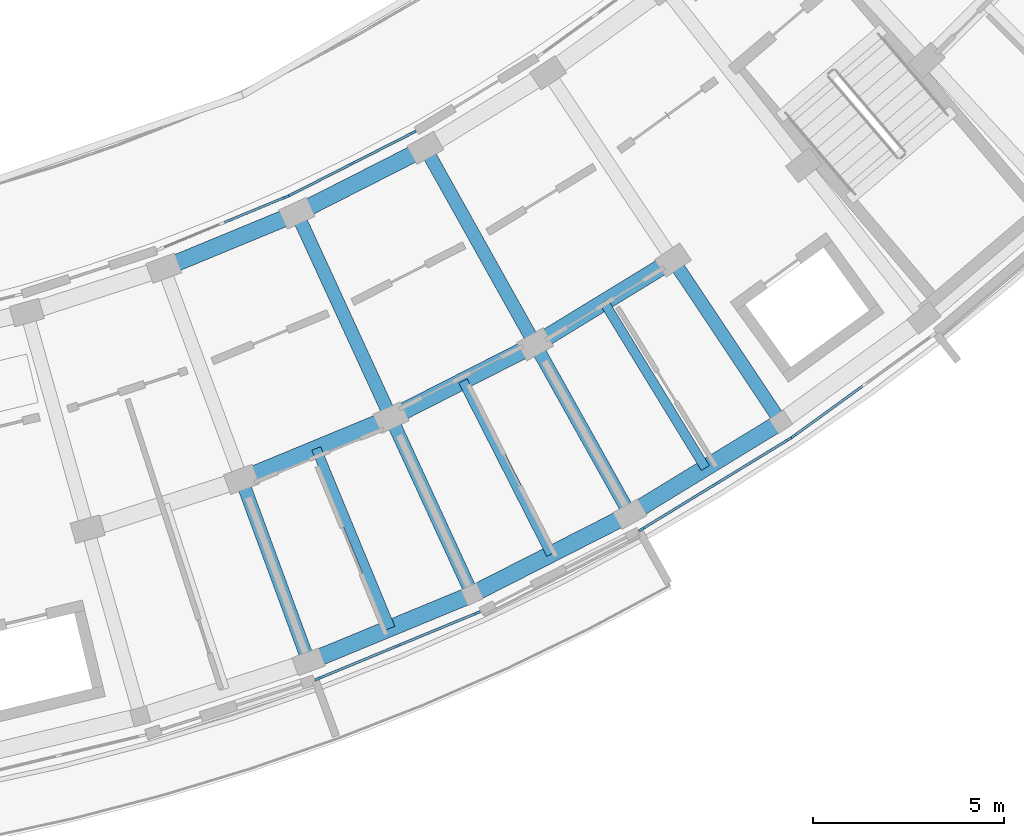
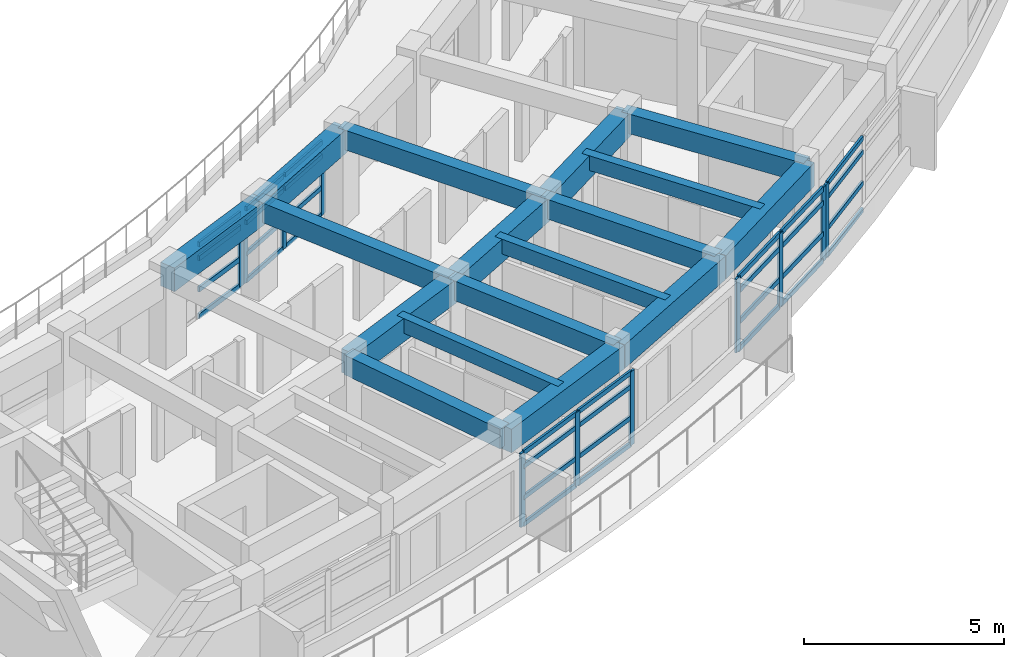
# One storey, part 18 of 54: 43 members, 17 beams, 5 elements without a shape of their own.
"""IFC4 building model written with IfcOpenShell, lengths in metres."""

from ifc_helpers import new_model, si_unit, direction, frame, origin, origin_2d, place, context, subcontext, project, spatial, rectangle, extrude, material, material_profile, profile_set, type_object, element, aggregate, save


model = new_model("IFC4")

# Units and contexts
model_context = context("Model", 3, precision=1e-05, world=origin(), true_north=direction((0.0, 1.0)))
body_context = subcontext(model_context, "Body", "Model", "MODEL_VIEW")
ifc_project = project(units=[si_unit("LENGTHUNIT", "METRE"), si_unit("AREAUNIT", "SQUARE_METRE"), si_unit("VOLUMEUNIT", "CUBIC_METRE"), si_unit("PLANEANGLEUNIT", "RADIAN"), si_unit("MASSUNIT", "GRAM", prefix="KILO")], contexts=[model_context])

# Site, building, storey
site_placement = place(None, origin())
site = spatial("IfcSite", under=ifc_project, at=site_placement, CompositionType="ELEMENT")
building_placement = place(site_placement, origin())
building = spatial("IfcBuilding", under=site, at=building_placement, Name="Zimvara Arc Housing Community", CompositionType="ELEMENT")
storey_placement = place(building_placement, frame((0.0, 0.0, 20.5)))
storey = spatial("IfcBuildingStorey", under=building, at=storey_placement, Name="L06", CompositionType="ELEMENT", Elevation=20.5)

# Beams
ifc_material_1 = material(Name="Concrete C40/50", Category="concrete")
ifc_material_profile_1 = material_profile(ifc_material_1, rectangle(XDim=0.25, YDim=0.449951171875, at=origin_2d()), Name="RC 250x450")
ifc_profile_set_1 = profile_set([ifc_material_profile_1], Name="Concrete C40/50")
beam_type_1 = type_object("IfcBeamType", Name="BM-RC-250x450", PredefinedType="JOIST", material=ifc_profile_set_1)
beam_1_placement = place(storey_placement, frame((146.509033203125, 60.17578125, 2.635009765625), z_axis=(0.381881623909, -0.924211244966, 0.0), x_axis=(0.924211244966, 0.381881623909, 0.0)))
element("IfcBeam", 1, at=beam_1_placement, inside=storey, type_object=beam_type_1, Name="bm:blkD:L06:joist:b4", PredefinedType="JOIST", context=body_context, shape_type="SweptSolid", body=[
    extrude(rectangle(XDim=0.25, YDim=0.449951171875, at=origin_2d()), origin(), (0.0, 0.0, 1.0), 5.076171875),
])
for number, where, z_axis, x_axis, name in (
    (2, (150.343994140625, 61.939453125, 2.635009765625), (0.453225300679, -0.891395998883, 0.0), (0.891395998883, 0.453225300679, 0.0), "bm:blkD:L06:joist:b5"),
    (3, (154.02880859375, 63.998779296875, 2.635009765625), (0.521755418526, -0.85309511969, 0.0), (0.85309511969, 0.521755418526, 0.0), "bm:blkD:L06:joist:b6"),
):
    element("IfcBeam", number, at=place(storey_placement, frame(where, z_axis=z_axis, x_axis=x_axis)), inside=storey, type_object=beam_type_1, Name=name, PredefinedType="JOIST", context=body_context, shape_type="SweptSolid", body=[
        extrude(rectangle(XDim=0.25, YDim=0.449951171875, at=origin_2d()), origin(), (0.0, 0.0, 1.0), 5.075927734375),
    ])
ifc_material_2 = material(Name="Concrete C40/50", Category="concrete")
ifc_material_profile_2 = material_profile(ifc_material_2, rectangle(XDim=0.35009765625, YDim=0.60009765625, at=origin_2d()), Name="RC 350x600")
ifc_profile_set_2 = profile_set([ifc_material_profile_2], Name="Concrete C40/50")
beam_type_2 = type_object("IfcBeamType", Name="BM-RC-350x600", PredefinedType="BEAM", material=ifc_profile_set_2)
beam_2_placement = place(storey_placement, frame((144.55712890625, 59.369140625, 2.56005859375), z_axis=(0.345302219392, -0.938491543533, 0.0), x_axis=(0.938491543533, 0.345302219392, 0.0)))
element("IfcBeam", 4, at=beam_2_placement, inside=storey, type_object=beam_type_2, Name="bm:blkD:L06:rad:b4:r23", PredefinedType="BEAM", context=body_context, shape_type="SweptSolid", body=[
    extrude(rectangle(XDim=0.35009765625, YDim=0.60009765625, at=origin_2d()), origin(), (0.0, 0.0, 1.0), 5.080078125),
])
beam_3_placement = place(storey_placement, frame((146.004150390625, 66.32421875, 2.56005859375), z_axis=(0.417862428621, -0.908510314056, 0.0), x_axis=(0.908510314056, 0.417862428621, 0.0)))
element("IfcBeam", 5, at=beam_3_placement, inside=storey, type_object=beam_type_2, Name="bm:blkD:L06:rad:b5:r12", PredefinedType="BEAM", context=body_context, shape_type="SweptSolid", body=[
    extrude(rectangle(XDim=0.35009765625, YDim=0.60009765625, at=origin_2d()), origin(), (0.0, 0.0, 1.0), 5.8798828125),
])
beam_4_placement = place(storey_placement, frame((148.461181640625, 60.982177734375, 2.56005859375), z_axis=(0.417872288794, -0.90850577888, 0.0), x_axis=(0.90850577888, 0.417872288794, 0.0)))
element("IfcBeam", 6, at=beam_4_placement, inside=storey, type_object=beam_type_2, Name="bm:blkD:L06:rad:b5:r23", PredefinedType="BEAM", context=body_context, shape_type="SweptSolid", body=[
    extrude(rectangle(XDim=0.35009765625, YDim=0.60009765625, at=origin_2d()), origin(), (0.0, 0.0, 1.0), 5.080078125),
])
beam_5_placement = place(storey_placement, frame((149.358154296875, 68.029541015625, 2.56005859375), z_axis=(0.487862302556, -0.872920599909, 0.0), x_axis=(0.872920599909, 0.487862302556, 0.0)))
element("IfcBeam", 7, at=beam_5_placement, inside=storey, type_object=beam_type_2, Name="bm:blkD:L06:rad:b6:r12", PredefinedType="BEAM", context=body_context, shape_type="SweptSolid", body=[
    extrude(rectangle(XDim=0.35009765625, YDim=0.60009765625, at=origin_2d()), origin(), (0.0, 0.0, 1.0), 5.880126953125),
])
beam_6_placement = place(storey_placement, frame((152.226806640625, 62.896728515625, 2.56005859375), z_axis=(0.48786121213, -0.872921209331, 0.0), x_axis=(0.872921209331, 0.48786121213, 0.0)))
element("IfcBeam", 8, at=beam_6_placement, inside=storey, type_object=beam_type_2, Name="bm:blkD:L06:rad:b6:r23", PredefinedType="BEAM", context=body_context, shape_type="SweptSolid", body=[
    extrude(rectangle(XDim=0.35009765625, YDim=0.60009765625, at=origin_2d()), origin(), (0.0, 0.0, 1.0), 5.079833984375),
])
beam_7_placement = place(storey_placement, frame((155.83056640625, 65.100830078125, 2.56005859375), z_axis=(0.554844365732, -0.83195416329, 0.0), x_axis=(0.83195416329, 0.554844365732, 0.0)))
element("IfcBeam", 9, at=beam_7_placement, inside=storey, type_object=beam_type_2, Name="bm:blkD:L06:rad:b7:r23", PredefinedType="BEAM", context=body_context, shape_type="SweptSolid", body=[
    extrude(rectangle(XDim=0.35009765625, YDim=0.60009765625, at=origin_2d()), origin(), (0.0, 0.0, 1.0), 5.080078125),
])
ifc_material_3 = material(Name="Concrete C40/50", Category="concrete")
ifc_material_profile_3 = material_profile(ifc_material_3, rectangle(XDim=0.43994140625, YDim=0.719970703125, at=origin_2d()), Name="RC 440x720")
ifc_profile_set_3 = profile_set([ifc_material_profile_3], Name="Concrete C40/50")
beam_type_3 = type_object("IfcBeamType", Name="BM-RC-440x720", PredefinedType="BEAM", material=ifc_profile_set_3)
for number, where, z_axis, x_axis, name in (
    (10, (142.526611328125, 64.887451171875, 2.5), (0.924224591922, 0.381849320658, 0.0), (-0.381849320658, 0.924224591922, 0.0), "bm:blkD:L06:chord:r1:b4"),
    (11, (146.004150390625, 66.32421875, 2.5), (0.891396237924, 0.453224830536, 0.0), (-0.453224830536, 0.891396237924, 0.0), "bm:blkD:L06:chord:r1:b5"),
):
    element("IfcBeam", number, at=place(storey_placement, frame(where, z_axis=z_axis, x_axis=x_axis)), inside=storey, type_object=beam_type_3, Name=name, PredefinedType="BEAM", context=body_context, shape_type="SweptSolid", body=[
        extrude(rectangle(XDim=0.43994140625, YDim=0.719970703125, at=origin_2d()), origin(), (0.0, 0.0, 1.0), 3.7626953125),
    ])
beam_8_placement = place(storey_placement, frame((144.55712890625, 59.369140625, 2.5), z_axis=(0.924220191381, 0.381859971512, 0.0), x_axis=(-0.381859971512, 0.924220191381, 0.0)))
element("IfcBeam", 12, at=beam_8_placement, inside=storey, type_object=beam_type_3, Name="bm:blkD:L06:chord:r2:b4", PredefinedType="BEAM", context=body_context, shape_type="SweptSolid", body=[
    extrude(rectangle(XDim=0.43994140625, YDim=0.719970703125, at=origin_2d()), origin(), (0.0, 0.0, 1.0), 4.22412109375),
])
for number, where, z_axis, x_axis, name in (
    (13, (148.461181640625, 60.982177734375, 2.5), (0.891401751243, 0.453213986855, 0.0), (-0.453213986855, 0.891401751243, 0.0), "bm:blkD:L06:chord:r2:b5"),
    (14, (152.226806640625, 62.896728515625, 2.5), (0.853091772331, 0.521760891579, 0.0), (-0.521760891579, 0.853091772331, 0.0), "bm:blkD:L06:chord:r2:b6"),
):
    element("IfcBeam", number, at=place(storey_placement, frame(where, z_axis=z_axis, x_axis=x_axis)), inside=storey, type_object=beam_type_3, Name=name, PredefinedType="BEAM", context=body_context, shape_type="SweptSolid", body=[
        extrude(rectangle(XDim=0.43994140625, YDim=0.719970703125, at=origin_2d()), origin(), (0.0, 0.0, 1.0), 4.224365234375),
    ])
beam_9_placement = place(storey_placement, frame((146.311279296875, 54.6015625, 2.5), z_axis=(0.924218077134, 0.38186508861, 0.0), x_axis=(-0.38186508861, 0.924218077134, 0.0)))
element("IfcBeam", 15, at=beam_9_placement, inside=storey, type_object=beam_type_3, Name="bm:blkD:L06:chord:r3:b4", PredefinedType="BEAM", context=body_context, shape_type="SweptSolid", body=[
    extrude(rectangle(XDim=0.43994140625, YDim=0.719970703125, at=origin_2d()), origin(), (0.0, 0.0, 1.0), 4.623046875),
])
for number, where, z_axis, x_axis, name in (
    (16, (150.583984375, 56.366943359375, 2.5), (0.891386215037, 0.453244542871, 0.0), (-0.453244542871, 0.891386215037, 0.0), "bm:blkD:L06:chord:r3:b5"),
    (17, (154.705078125, 58.46240234375, 2.5), (0.853105562062, 0.521738344363, 0.0), (-0.521738344363, 0.853105562062, 0.0), "bm:blkD:L06:chord:r3:b6"),
):
    element("IfcBeam", number, at=place(storey_placement, frame(where, z_axis=z_axis, x_axis=x_axis)), inside=storey, type_object=beam_type_3, Name=name, PredefinedType="BEAM", context=body_context, shape_type="SweptSolid", body=[
        extrude(rectangle(XDim=0.43994140625, YDim=0.719970703125, at=origin_2d()), origin(), (0.0, 0.0, 1.0), 4.623291015625),
    ])

# Curtain wall, members
ifc_material_4 = material(Name="Anodised Aluminium AW-6063", Category="aluminium")
curtain_wall_type_1 = type_object("IfcCurtainWallType", Name="CW-SYS-08", PredefinedType="USERDEFINED", material=ifc_material_4)
curtain_wall_1_placement = place(storey_placement, origin())
curtain_wall_1 = element("IfcCurtainWall", 18, at=curtain_wall_1_placement, inside=storey, type_object=curtain_wall_type_1, Name="cw:blkD:L06:out:b4", ObjectType="CURTAIN WALL", PredefinedType="USERDEFINED")
ifc_material_5 = material(Name="Anodised Aluminium AW-6063", Category="aluminium")
ifc_material_profile_4 = material_profile(ifc_material_5, rectangle(XDim=0.06494140625, YDim=0.179931640625, at=origin_2d()), Name="ALU 65x180")
ifc_profile_set_4 = profile_set([ifc_material_profile_4], Name="Anodised Aluminium AW-6063")
member_type_1 = type_object("IfcMemberType", Name="CWM-65x150", PredefinedType="MULLION", material=ifc_profile_set_4)
member_1_placement = place(storey_placement, frame((146.5693359375, 54.167724609375, 0.0), z_axis=(0.0, 0.0, 1.0), x_axis=(-0.38187646221, 0.924213377749, 0.0)))
member_1 = element("IfcMember", 19, at=member_1_placement, type_object=member_type_1, Name="CW08 mullion 1", PredefinedType="MULLION", context=body_context, shape_type="SweptSolid", body=[
    extrude(rectangle(XDim=0.06494140625, YDim=0.179931640625, at=origin_2d()), origin(), (0.0, 0.0, 1.0), 2.25),
])
member_2_placement = place(storey_placement, frame((148.638427734375, 55.0224609375, 0.0), z_axis=(0.0, 0.0, 1.0), x_axis=(-0.38187646221, 0.924213377749, 0.0)))
member_2 = element("IfcMember", 20, at=member_2_placement, type_object=member_type_1, Name="CW08 mullion 2", PredefinedType="MULLION", context=body_context, shape_type="SweptSolid", body=[
    extrude(rectangle(XDim=0.06494140625, YDim=0.179931640625, at=origin_2d()), origin(), (0.0, 0.0, 1.0), 2.25),
])
member_3_placement = place(storey_placement, frame((150.70751953125, 55.87744140625, 0.0), z_axis=(0.0, 0.0, 1.0), x_axis=(-0.38187646221, 0.924213377749, 0.0)))
member_3 = element("IfcMember", 21, at=member_3_placement, type_object=member_type_1, Name="CW08 mullion 3", PredefinedType="MULLION", context=body_context, shape_type="SweptSolid", body=[
    extrude(rectangle(XDim=0.06494140625, YDim=0.179931640625, at=origin_2d()), origin(), (0.0, 0.0, 1.0), 2.25),
])

ifc_material_6 = material(Name="Anodised Aluminium AW-6063", Category="aluminium")
curtain_wall_type_2 = type_object("IfcCurtainWallType", Name="CW-SYS-02", PredefinedType="USERDEFINED", material=ifc_material_6)
curtain_wall_2_placement = place(storey_placement, origin())
curtain_wall_2 = element("IfcCurtainWall", 22, at=curtain_wall_2_placement, inside=storey, type_object=curtain_wall_type_2, Name="cw:blkD:L06:in:b5", ObjectType="CURTAIN WALL", PredefinedType="USERDEFINED")
member_4_placement = place(storey_placement, frame((145.877685546875, 66.820556640625, 0.0), z_axis=(0.0, 0.0, 1.0), x_axis=(-0.453213376091, 0.891402061772, 0.0)))
member_4 = element("IfcMember", 23, at=member_4_placement, type_object=member_type_1, Name="CW02 mullion 1", PredefinedType="MULLION", context=body_context, shape_type="SweptSolid", body=[
    extrude(rectangle(XDim=0.06494140625, YDim=0.179931640625, at=origin_2d()), origin(), (0.0, 0.0, 1.0), 2.25),
])
member_5_placement = place(storey_placement, frame((147.454833984375, 67.622314453125, 0.0), z_axis=(0.0, 0.0, 1.0), x_axis=(-0.453213376091, 0.891402061772, 0.0)))
member_5 = element("IfcMember", 24, at=member_5_placement, type_object=member_type_1, Name="CW02 mullion 2", PredefinedType="MULLION", context=body_context, shape_type="SweptSolid", body=[
    extrude(rectangle(XDim=0.06494140625, YDim=0.179931640625, at=origin_2d()), origin(), (0.0, 0.0, 1.0), 2.25),
])
member_6_placement = place(storey_placement, frame((149.03173828125, 68.424072265625, 0.0), z_axis=(0.0, 0.0, 1.0), x_axis=(-0.453213376091, 0.891402061772, 0.0)))
member_6 = element("IfcMember", 25, at=member_6_placement, type_object=member_type_1, Name="CW02 mullion 3", PredefinedType="MULLION", context=body_context, shape_type="SweptSolid", body=[
    extrude(rectangle(XDim=0.06494140625, YDim=0.179931640625, at=origin_2d()), origin(), (0.0, 0.0, 1.0), 2.25),
])

# Curtain wall, member
ifc_material_7 = material(Name="Anodised Aluminium AW-6063", Category="aluminium")
curtain_wall_type_3 = type_object("IfcCurtainWallType", Name="CW-SYS-04", PredefinedType="USERDEFINED", material=ifc_material_7)
curtain_wall_3_placement = place(storey_placement, origin())
curtain_wall_3 = element("IfcCurtainWall", 26, at=curtain_wall_3_placement, inside=storey, type_object=curtain_wall_type_3, Name="cw:blkD:L06:out:b7", ObjectType="CURTAIN WALL", PredefinedType="USERDEFINED")
member_7_placement = place(storey_placement, frame((159.00146484375, 60.512939453125, 0.0), z_axis=(0.0, 0.0, 1.0), x_axis=(-0.587077917196, 0.809530431263, 0.0)))
member_7 = element("IfcMember", 27, at=member_7_placement, type_object=member_type_1, Name="CW04 mullion 1", PredefinedType="MULLION", context=body_context, shape_type="SweptSolid", body=[
    extrude(rectangle(XDim=0.06494140625, YDim=0.179931640625, at=origin_2d()), origin(), (0.0, 0.0, 1.0), 2.25),
])

ifc_material_8 = material(Name="Anodised Aluminium AW-6063", Category="aluminium")
curtain_wall_type_4 = type_object("IfcCurtainWallType", Name="CW-SYS-01", PredefinedType="USERDEFINED", material=ifc_material_8)
curtain_wall_4_placement = place(storey_placement, origin())
curtain_wall_4 = element("IfcCurtainWall", 28, at=curtain_wall_4_placement, inside=storey, type_object=curtain_wall_type_4, Name="cw:blkD:L06:in:b4", ObjectType="CURTAIN WALL", PredefinedType="USERDEFINED")
ifc_material_9 = material(Name="Anodised Aluminium AW-6063", Category="aluminium")
ifc_material_profile_5 = material_profile(ifc_material_9, rectangle(XDim=0.06494140625, YDim=0.195068359375, at=origin_2d()), Name="ALU 65x195")
ifc_profile_set_5 = profile_set([ifc_material_profile_5], Name="Anodised Aluminium AW-6063")
member_type_2 = type_object("IfcMemberType", Name="CWM-65x180", PredefinedType="MULLION", material=ifc_profile_set_5)
member_8_placement = place(storey_placement, frame((145.709716796875, 66.7431640625, 0.0), z_axis=(0.0, 0.0, 1.0), x_axis=(-0.381878016422, 0.924212735561, 0.0)))
member_8 = element("IfcMember", 29, at=member_8_placement, type_object=member_type_2, Name="CW01 mullion 3", PredefinedType="MULLION", context=body_context, shape_type="SweptSolid", body=[
    extrude(rectangle(XDim=0.06494140625, YDim=0.195068359375, at=origin_2d()), origin(), (0.0, 0.0, 1.0), 2.25),
])

# Curtain wall, members
ifc_material_10 = material(Name="Anodised Aluminium AW-6063", Category="aluminium")
curtain_wall_type_5 = type_object("IfcCurtainWallType", Name="CW-SYS-03", PredefinedType="USERDEFINED", material=ifc_material_10)
curtain_wall_5_placement = place(storey_placement, origin())
curtain_wall_5 = element("IfcCurtainWall", 30, at=curtain_wall_5_placement, inside=storey, type_object=curtain_wall_type_5, Name="cw:blkD:L06:out:b6", ObjectType="CURTAIN WALL", PredefinedType="USERDEFINED")
member_9_placement = place(storey_placement, frame((155.028076171875, 58.07421875, 0.0), z_axis=(0.0, 0.0, 1.0), x_axis=(-0.521754248513, 0.853095835272, 0.0)))
member_9 = element("IfcMember", 31, at=member_9_placement, type_object=member_type_2, Name="CW03 mullion 1", PredefinedType="MULLION", context=body_context, shape_type="SweptSolid", body=[
    extrude(rectangle(XDim=0.06494140625, YDim=0.195068359375, at=origin_2d()), origin(), (0.0, 0.0, 1.0), 2.25),
])
member_10_placement = place(storey_placement, frame((156.93798828125, 59.2421875, 0.0), z_axis=(0.0, 0.0, 1.0), x_axis=(-0.521754248513, 0.853095835272, 0.0)))
member_10 = element("IfcMember", 32, at=member_10_placement, type_object=member_type_2, Name="CW03 mullion 2", PredefinedType="MULLION", context=body_context, shape_type="SweptSolid", body=[
    extrude(rectangle(XDim=0.06494140625, YDim=0.195068359375, at=origin_2d()), origin(), (0.0, 0.0, 1.0), 2.25),
])
member_11_placement = place(storey_placement, frame((158.84765625, 60.410400390625, 0.0), z_axis=(0.0, 0.0, 1.0), x_axis=(-0.521754248513, 0.853095835272, 0.0)))
member_11 = element("IfcMember", 33, at=member_11_placement, type_object=member_type_2, Name="CW03 mullion 3", PredefinedType="MULLION", context=body_context, shape_type="SweptSolid", body=[
    extrude(rectangle(XDim=0.06494140625, YDim=0.195068359375, at=origin_2d()), origin(), (0.0, 0.0, 1.0), 2.25),
])

# Member
ifc_material_11 = material(Name="Anodised Aluminium AW-6063", Category="aluminium")
ifc_material_profile_6 = material_profile(ifc_material_11, rectangle(XDim=0.06494140625, YDim=0.139892578125, at=origin_2d()), Name="ALU 65x140")
ifc_profile_set_6 = profile_set([ifc_material_profile_6], Name="Anodised Aluminium AW-6063")
member_type_3 = type_object("IfcMemberType", Name="CWT-65x120", PredefinedType="USERDEFINED", material=ifc_profile_set_6)
member_12_placement = place(storey_placement, frame((146.599365234375, 54.179931640625, 0.032470703125), z_axis=(0.924219207316, 0.381862353248, 0.0), x_axis=(-0.381862353248, 0.924219207316, 0.0)))
member_12 = element("IfcMember", 34, at=member_12_placement, type_object=member_type_3, Name="CW08 transom 1.1", ObjectType="TRANSOM", PredefinedType="USERDEFINED", context=body_context, shape_type="SweptSolid", body=[
    extrude(rectangle(XDim=0.06494140625, YDim=0.139892578125, at=origin_2d()), origin(), (0.0, 0.0, 1.0), 2.173828125),
])

member_13_placement = place(storey_placement, frame((146.599365234375, 54.179931640625, 0.85009765625), z_axis=(0.924219207316, 0.381862353248, 0.0), x_axis=(-0.381862353248, 0.924219207316, 0.0)))
member_13 = element("IfcMember", 35, at=member_13_placement, type_object=member_type_3, Name="CW08 transom 1.2", ObjectType="TRANSOM", PredefinedType="USERDEFINED", context=body_context, shape_type="SweptSolid", body=[
    extrude(rectangle(XDim=0.06494140625, YDim=0.139892578125, at=origin_2d()), origin(), (0.0, 0.0, 1.0), 2.173828125),
])

member_14_placement = place(storey_placement, frame((146.599365234375, 54.179931640625, 1.800048828125), z_axis=(0.924219207316, 0.381862353248, 0.0), x_axis=(-0.381862353248, 0.924219207316, 0.0)))
member_14 = element("IfcMember", 36, at=member_14_placement, type_object=member_type_3, Name="CW08 transom 1.3", ObjectType="TRANSOM", PredefinedType="USERDEFINED", context=body_context, shape_type="SweptSolid", body=[
    extrude(rectangle(XDim=0.06494140625, YDim=0.139892578125, at=origin_2d()), origin(), (0.0, 0.0, 1.0), 2.173828125),
])

member_15_placement = place(storey_placement, frame((146.599365234375, 54.179931640625, 2.217529296875), z_axis=(0.924219207316, 0.381862353248, 0.0), x_axis=(-0.381862353248, 0.924219207316, 0.0)))
member_15 = element("IfcMember", 37, at=member_15_placement, type_object=member_type_3, Name="CW08 transom 1.4", ObjectType="TRANSOM", PredefinedType="USERDEFINED", context=body_context, shape_type="SweptSolid", body=[
    extrude(rectangle(XDim=0.06494140625, YDim=0.139892578125, at=origin_2d()), origin(), (0.0, 0.0, 1.0), 2.173828125),
])

member_16_placement = place(storey_placement, frame((148.66845703125, 55.034912109375, 0.032470703125), z_axis=(0.924219207316, 0.381862353248, 0.0), x_axis=(-0.381862353248, 0.924219207316, 0.0)))
member_16 = element("IfcMember", 38, at=member_16_placement, type_object=member_type_3, Name="CW08 transom 2.1", ObjectType="TRANSOM", PredefinedType="USERDEFINED", context=body_context, shape_type="SweptSolid", body=[
    extrude(rectangle(XDim=0.06494140625, YDim=0.139892578125, at=origin_2d()), origin(), (0.0, 0.0, 1.0), 2.173828125),
])

member_17_placement = place(storey_placement, frame((148.66845703125, 55.034912109375, 0.85009765625), z_axis=(0.924219207316, 0.381862353248, 0.0), x_axis=(-0.381862353248, 0.924219207316, 0.0)))
member_17 = element("IfcMember", 39, at=member_17_placement, type_object=member_type_3, Name="CW08 transom 2.2", ObjectType="TRANSOM", PredefinedType="USERDEFINED", context=body_context, shape_type="SweptSolid", body=[
    extrude(rectangle(XDim=0.06494140625, YDim=0.139892578125, at=origin_2d()), origin(), (0.0, 0.0, 1.0), 2.173828125),
])

member_18_placement = place(storey_placement, frame((148.66845703125, 55.034912109375, 1.800048828125), z_axis=(0.924219207316, 0.381862353248, 0.0), x_axis=(-0.381862353248, 0.924219207316, 0.0)))
member_18 = element("IfcMember", 40, at=member_18_placement, type_object=member_type_3, Name="CW08 transom 2.3", ObjectType="TRANSOM", PredefinedType="USERDEFINED", context=body_context, shape_type="SweptSolid", body=[
    extrude(rectangle(XDim=0.06494140625, YDim=0.139892578125, at=origin_2d()), origin(), (0.0, 0.0, 1.0), 2.173828125),
])

member_19_placement = place(storey_placement, frame((148.66845703125, 55.034912109375, 2.217529296875), z_axis=(0.924219207316, 0.381862353248, 0.0), x_axis=(-0.381862353248, 0.924219207316, 0.0)))
member_19 = element("IfcMember", 41, at=member_19_placement, type_object=member_type_3, Name="CW08 transom 2.4", ObjectType="TRANSOM", PredefinedType="USERDEFINED", context=body_context, shape_type="SweptSolid", body=[
    extrude(rectangle(XDim=0.06494140625, YDim=0.139892578125, at=origin_2d()), origin(), (0.0, 0.0, 1.0), 2.173828125),
])

aggregate(curtain_wall_1, [member_1, member_2, member_3, member_12, member_13, member_14, member_15, member_16, member_17, member_18, member_19])

member_20_placement = place(storey_placement, frame((145.90673828125, 66.835205078125, 0.032470703125), z_axis=(0.891369433429, 0.453277545383, 0.0), x_axis=(-0.453277545383, 0.891369433429, 0.0)))
member_20 = element("IfcMember", 42, at=member_20_placement, type_object=member_type_3, Name="CW02 transom 1.1", ObjectType="TRANSOM", PredefinedType="USERDEFINED", context=body_context, shape_type="SweptSolid", body=[
    extrude(rectangle(XDim=0.06494140625, YDim=0.139892578125, at=origin_2d()), origin(), (0.0, 0.0, 1.0), 1.7041015625),
])

member_21_placement = place(storey_placement, frame((145.90673828125, 66.835205078125, 0.85009765625), z_axis=(0.891369433429, 0.453277545383, 0.0), x_axis=(-0.453277545383, 0.891369433429, 0.0)))
member_21 = element("IfcMember", 43, at=member_21_placement, type_object=member_type_3, Name="CW02 transom 1.2", ObjectType="TRANSOM", PredefinedType="USERDEFINED", context=body_context, shape_type="SweptSolid", body=[
    extrude(rectangle(XDim=0.06494140625, YDim=0.139892578125, at=origin_2d()), origin(), (0.0, 0.0, 1.0), 1.7041015625),
])

member_22_placement = place(storey_placement, frame((145.90673828125, 66.835205078125, 1.800048828125), z_axis=(0.891369433429, 0.453277545383, 0.0), x_axis=(-0.453277545383, 0.891369433429, 0.0)))
member_22 = element("IfcMember", 44, at=member_22_placement, type_object=member_type_3, Name="CW02 transom 1.3", ObjectType="TRANSOM", PredefinedType="USERDEFINED", context=body_context, shape_type="SweptSolid", body=[
    extrude(rectangle(XDim=0.06494140625, YDim=0.139892578125, at=origin_2d()), origin(), (0.0, 0.0, 1.0), 1.7041015625),
])

member_23_placement = place(storey_placement, frame((145.90673828125, 66.835205078125, 2.217529296875), z_axis=(0.891369433429, 0.453277545383, 0.0), x_axis=(-0.453277545383, 0.891369433429, 0.0)))
member_23 = element("IfcMember", 45, at=member_23_placement, type_object=member_type_3, Name="CW02 transom 1.4", ObjectType="TRANSOM", PredefinedType="USERDEFINED", context=body_context, shape_type="SweptSolid", body=[
    extrude(rectangle(XDim=0.06494140625, YDim=0.139892578125, at=origin_2d()), origin(), (0.0, 0.0, 1.0), 1.7041015625),
])

member_24_placement = place(storey_placement, frame((147.483642578125, 67.636962890625, 0.032470703125), z_axis=(0.891398862257, 0.453219668999, 0.0), x_axis=(-0.453219668999, 0.891398862257, 0.0)))
member_24 = element("IfcMember", 46, at=member_24_placement, type_object=member_type_3, Name="CW02 transom 2.1", ObjectType="TRANSOM", PredefinedType="USERDEFINED", context=body_context, shape_type="SweptSolid", body=[
    extrude(rectangle(XDim=0.06494140625, YDim=0.139892578125, at=origin_2d()), origin(), (0.0, 0.0, 1.0), 1.704345703125),
])

member_25_placement = place(storey_placement, frame((147.483642578125, 67.636962890625, 0.85009765625), z_axis=(0.891398862257, 0.453219668999, 0.0), x_axis=(-0.453219668999, 0.891398862257, 0.0)))
member_25 = element("IfcMember", 47, at=member_25_placement, type_object=member_type_3, Name="CW02 transom 2.2", ObjectType="TRANSOM", PredefinedType="USERDEFINED", context=body_context, shape_type="SweptSolid", body=[
    extrude(rectangle(XDim=0.06494140625, YDim=0.139892578125, at=origin_2d()), origin(), (0.0, 0.0, 1.0), 1.704345703125),
])

member_26_placement = place(storey_placement, frame((147.483642578125, 67.636962890625, 1.800048828125), z_axis=(0.891398862257, 0.453219668999, 0.0), x_axis=(-0.453219668999, 0.891398862257, 0.0)))
member_26 = element("IfcMember", 48, at=member_26_placement, type_object=member_type_3, Name="CW02 transom 2.3", ObjectType="TRANSOM", PredefinedType="USERDEFINED", context=body_context, shape_type="SweptSolid", body=[
    extrude(rectangle(XDim=0.06494140625, YDim=0.139892578125, at=origin_2d()), origin(), (0.0, 0.0, 1.0), 1.704345703125),
])

member_27_placement = place(storey_placement, frame((147.483642578125, 67.636962890625, 2.217529296875), z_axis=(0.891398862257, 0.453219668999, 0.0), x_axis=(-0.453219668999, 0.891398862257, 0.0)))
member_27 = element("IfcMember", 49, at=member_27_placement, type_object=member_type_3, Name="CW02 transom 2.4", ObjectType="TRANSOM", PredefinedType="USERDEFINED", context=body_context, shape_type="SweptSolid", body=[
    extrude(rectangle(XDim=0.06494140625, YDim=0.139892578125, at=origin_2d()), origin(), (0.0, 0.0, 1.0), 1.704345703125),
])

aggregate(curtain_wall_2, [member_4, member_5, member_6, member_20, member_21, member_22, member_23, member_24, member_25, member_26, member_27])

member_28_placement = place(storey_placement, frame((159.02783203125, 60.531982421875, 0.032470703125), z_axis=(0.80954639163, 0.587055908581, 0.0), x_axis=(-0.587055908581, 0.80954639163, 0.0)))
member_28 = element("IfcMember", 50, at=member_28_placement, type_object=member_type_3, Name="CW04 transom 1.1", ObjectType="TRANSOM", PredefinedType="USERDEFINED", context=body_context, shape_type="SweptSolid", body=[
    extrude(rectangle(XDim=0.06494140625, YDim=0.139892578125, at=origin_2d()), origin(), (0.0, 0.0, 1.0), 2.173828125),
])

member_29_placement = place(storey_placement, frame((159.02783203125, 60.531982421875, 0.85009765625), z_axis=(0.80954639163, 0.587055908581, 0.0), x_axis=(-0.587055908581, 0.80954639163, 0.0)))
member_29 = element("IfcMember", 51, at=member_29_placement, type_object=member_type_3, Name="CW04 transom 1.2", ObjectType="TRANSOM", PredefinedType="USERDEFINED", context=body_context, shape_type="SweptSolid", body=[
    extrude(rectangle(XDim=0.06494140625, YDim=0.139892578125, at=origin_2d()), origin(), (0.0, 0.0, 1.0), 2.173828125),
])

member_30_placement = place(storey_placement, frame((159.02783203125, 60.531982421875, 1.800048828125), z_axis=(0.80954639163, 0.587055908581, 0.0), x_axis=(-0.587055908581, 0.80954639163, 0.0)))
member_30 = element("IfcMember", 52, at=member_30_placement, type_object=member_type_3, Name="CW04 transom 1.3", ObjectType="TRANSOM", PredefinedType="USERDEFINED", context=body_context, shape_type="SweptSolid", body=[
    extrude(rectangle(XDim=0.06494140625, YDim=0.139892578125, at=origin_2d()), origin(), (0.0, 0.0, 1.0), 2.173828125),
])

member_31_placement = place(storey_placement, frame((159.02783203125, 60.531982421875, 2.217529296875), z_axis=(0.80954639163, 0.587055908581, 0.0), x_axis=(-0.587055908581, 0.80954639163, 0.0)))
member_31 = element("IfcMember", 53, at=member_31_placement, type_object=member_type_3, Name="CW04 transom 1.4", ObjectType="TRANSOM", PredefinedType="USERDEFINED", context=body_context, shape_type="SweptSolid", body=[
    extrude(rectangle(XDim=0.06494140625, YDim=0.139892578125, at=origin_2d()), origin(), (0.0, 0.0, 1.0), 2.173828125),
])

aggregate(curtain_wall_3, [member_7, member_28, member_29, member_30, member_31])

ifc_material_12 = material(Name="Anodised Aluminium AW-6063", Category="aluminium")
ifc_material_profile_7 = material_profile(ifc_material_12, rectangle(XDim=0.06494140625, YDim=0.155029296875, at=origin_2d()), Name="ALU 65x155")
ifc_profile_set_7 = profile_set([ifc_material_profile_7], Name="Anodised Aluminium AW-6063")
member_type_4 = type_object("IfcMemberType", Name="CWT-65x140", PredefinedType="USERDEFINED", material=ifc_profile_set_7)
member_32_placement = place(storey_placement, frame((144.104736328125, 66.080078125, 0.032470703125), z_axis=(0.9242383465, 0.381816027503, 0.0), x_axis=(-0.381816027503, 0.9242383465, 0.0)))
member_32 = element("IfcMember", 54, at=member_32_placement, type_object=member_type_4, Name="CW01 transom 2.1", ObjectType="TRANSOM", PredefinedType="USERDEFINED", context=body_context, shape_type="SweptSolid", body=[
    extrude(rectangle(XDim=0.06494140625, YDim=0.155029296875, at=origin_2d()), origin(), (0.0, 0.0, 1.0), 1.7041015625),
])

member_33_placement = place(storey_placement, frame((144.104736328125, 66.080078125, 0.85009765625), z_axis=(0.9242383465, 0.381816027503, 0.0), x_axis=(-0.381816027503, 0.9242383465, 0.0)))
member_33 = element("IfcMember", 55, at=member_33_placement, type_object=member_type_4, Name="CW01 transom 2.2", ObjectType="TRANSOM", PredefinedType="USERDEFINED", context=body_context, shape_type="SweptSolid", body=[
    extrude(rectangle(XDim=0.06494140625, YDim=0.155029296875, at=origin_2d()), origin(), (0.0, 0.0, 1.0), 1.7041015625),
])

member_34_placement = place(storey_placement, frame((144.104736328125, 66.080078125, 1.800048828125), z_axis=(0.9242383465, 0.381816027503, 0.0), x_axis=(-0.381816027503, 0.9242383465, 0.0)))
member_34 = element("IfcMember", 56, at=member_34_placement, type_object=member_type_4, Name="CW01 transom 2.3", ObjectType="TRANSOM", PredefinedType="USERDEFINED", context=body_context, shape_type="SweptSolid", body=[
    extrude(rectangle(XDim=0.06494140625, YDim=0.155029296875, at=origin_2d()), origin(), (0.0, 0.0, 1.0), 1.7041015625),
])

member_35_placement = place(storey_placement, frame((144.104736328125, 66.080078125, 2.217529296875), z_axis=(0.9242383465, 0.381816027503, 0.0), x_axis=(-0.381816027503, 0.9242383465, 0.0)))
member_35 = element("IfcMember", 57, at=member_35_placement, type_object=member_type_4, Name="CW01 transom 2.4", ObjectType="TRANSOM", PredefinedType="USERDEFINED", context=body_context, shape_type="SweptSolid", body=[
    extrude(rectangle(XDim=0.06494140625, YDim=0.155029296875, at=origin_2d()), origin(), (0.0, 0.0, 1.0), 1.7041015625),
])

aggregate(curtain_wall_4, [member_8, member_32, member_33, member_34, member_35])

member_36_placement = place(storey_placement, frame((155.0556640625, 58.091064453125, 0.032470703125), z_axis=(0.85308189023, 0.521777048711, 0.0), x_axis=(-0.521777048711, 0.85308189023, 0.0)))
member_36 = element("IfcMember", 58, at=member_36_placement, type_object=member_type_4, Name="CW03 transom 1.1", ObjectType="TRANSOM", PredefinedType="USERDEFINED", context=body_context, shape_type="SweptSolid", body=[
    extrude(rectangle(XDim=0.06494140625, YDim=0.155029296875, at=origin_2d()), origin(), (0.0, 0.0, 1.0), 2.173828125),
])

member_37_placement = place(storey_placement, frame((155.0556640625, 58.091064453125, 0.85009765625), z_axis=(0.85308189023, 0.521777048711, 0.0), x_axis=(-0.521777048711, 0.85308189023, 0.0)))
member_37 = element("IfcMember", 59, at=member_37_placement, type_object=member_type_4, Name="CW03 transom 1.2", ObjectType="TRANSOM", PredefinedType="USERDEFINED", context=body_context, shape_type="SweptSolid", body=[
    extrude(rectangle(XDim=0.06494140625, YDim=0.155029296875, at=origin_2d()), origin(), (0.0, 0.0, 1.0), 2.173828125),
])

member_38_placement = place(storey_placement, frame((155.0556640625, 58.091064453125, 1.800048828125), z_axis=(0.85308189023, 0.521777048711, 0.0), x_axis=(-0.521777048711, 0.85308189023, 0.0)))
member_38 = element("IfcMember", 60, at=member_38_placement, type_object=member_type_4, Name="CW03 transom 1.3", ObjectType="TRANSOM", PredefinedType="USERDEFINED", context=body_context, shape_type="SweptSolid", body=[
    extrude(rectangle(XDim=0.06494140625, YDim=0.155029296875, at=origin_2d()), origin(), (0.0, 0.0, 1.0), 2.173828125),
])

member_39_placement = place(storey_placement, frame((155.0556640625, 58.091064453125, 2.217529296875), z_axis=(0.85308189023, 0.521777048711, 0.0), x_axis=(-0.521777048711, 0.85308189023, 0.0)))
member_39 = element("IfcMember", 61, at=member_39_placement, type_object=member_type_4, Name="CW03 transom 1.4", ObjectType="TRANSOM", PredefinedType="USERDEFINED", context=body_context, shape_type="SweptSolid", body=[
    extrude(rectangle(XDim=0.06494140625, YDim=0.155029296875, at=origin_2d()), origin(), (0.0, 0.0, 1.0), 2.173828125),
])

member_40_placement = place(storey_placement, frame((156.965576171875, 59.25927734375, 0.032470703125), z_axis=(0.853131879051, 0.521695310452, 0.0), x_axis=(-0.521695310452, 0.853131879051, 0.0)))
member_40 = element("IfcMember", 62, at=member_40_placement, type_object=member_type_4, Name="CW03 transom 2.1", ObjectType="TRANSOM", PredefinedType="USERDEFINED", context=body_context, shape_type="SweptSolid", body=[
    extrude(rectangle(XDim=0.06494140625, YDim=0.155029296875, at=origin_2d()), origin(), (0.0, 0.0, 1.0), 2.173828125),
])

member_41_placement = place(storey_placement, frame((156.965576171875, 59.25927734375, 0.85009765625), z_axis=(0.853131879051, 0.521695310452, 0.0), x_axis=(-0.521695310452, 0.853131879051, 0.0)))
member_41 = element("IfcMember", 63, at=member_41_placement, type_object=member_type_4, Name="CW03 transom 2.2", ObjectType="TRANSOM", PredefinedType="USERDEFINED", context=body_context, shape_type="SweptSolid", body=[
    extrude(rectangle(XDim=0.06494140625, YDim=0.155029296875, at=origin_2d()), origin(), (0.0, 0.0, 1.0), 2.173828125),
])

member_42_placement = place(storey_placement, frame((156.965576171875, 59.25927734375, 1.800048828125), z_axis=(0.853131879051, 0.521695310452, 0.0), x_axis=(-0.521695310452, 0.853131879051, 0.0)))
member_42 = element("IfcMember", 64, at=member_42_placement, type_object=member_type_4, Name="CW03 transom 2.3", ObjectType="TRANSOM", PredefinedType="USERDEFINED", context=body_context, shape_type="SweptSolid", body=[
    extrude(rectangle(XDim=0.06494140625, YDim=0.155029296875, at=origin_2d()), origin(), (0.0, 0.0, 1.0), 2.173828125),
])

member_43_placement = place(storey_placement, frame((156.965576171875, 59.25927734375, 2.217529296875), z_axis=(0.853131879051, 0.521695310452, 0.0), x_axis=(-0.521695310452, 0.853131879051, 0.0)))
member_43 = element("IfcMember", 65, at=member_43_placement, type_object=member_type_4, Name="CW03 transom 2.4", ObjectType="TRANSOM", PredefinedType="USERDEFINED", context=body_context, shape_type="SweptSolid", body=[
    extrude(rectangle(XDim=0.06494140625, YDim=0.155029296875, at=origin_2d()), origin(), (0.0, 0.0, 1.0), 2.173828125),
])

aggregate(curtain_wall_5, [member_9, member_10, member_11, member_36, member_37, member_38, member_39, member_40, member_41, member_42, member_43])

save(model, "model.ifc")
